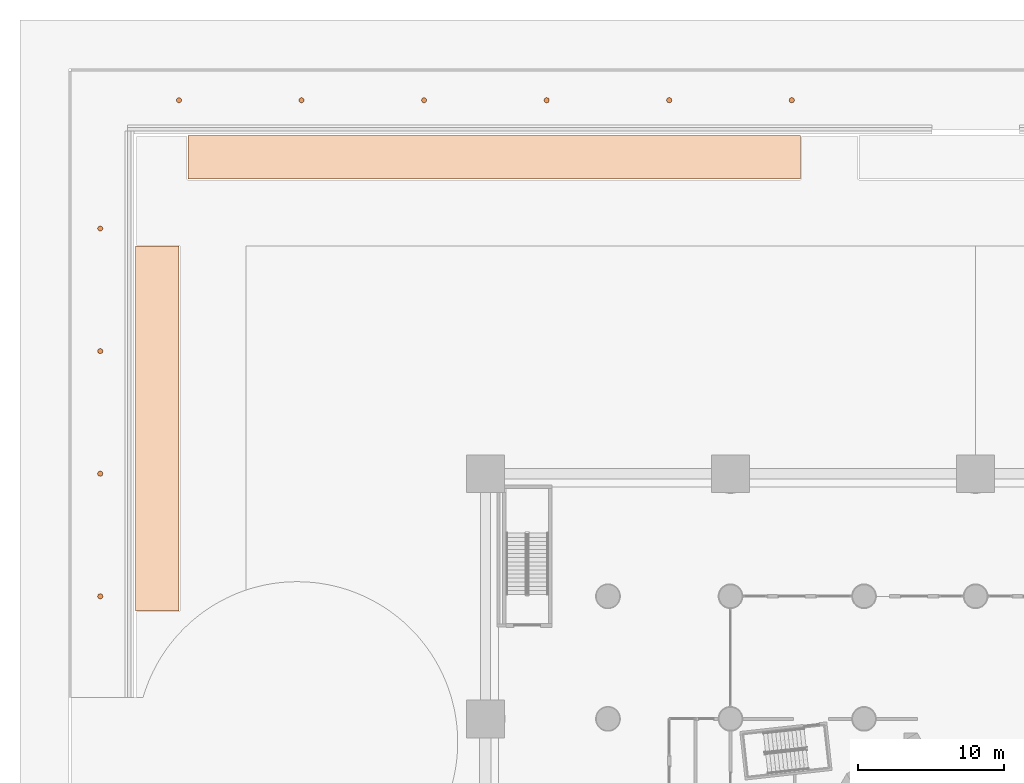
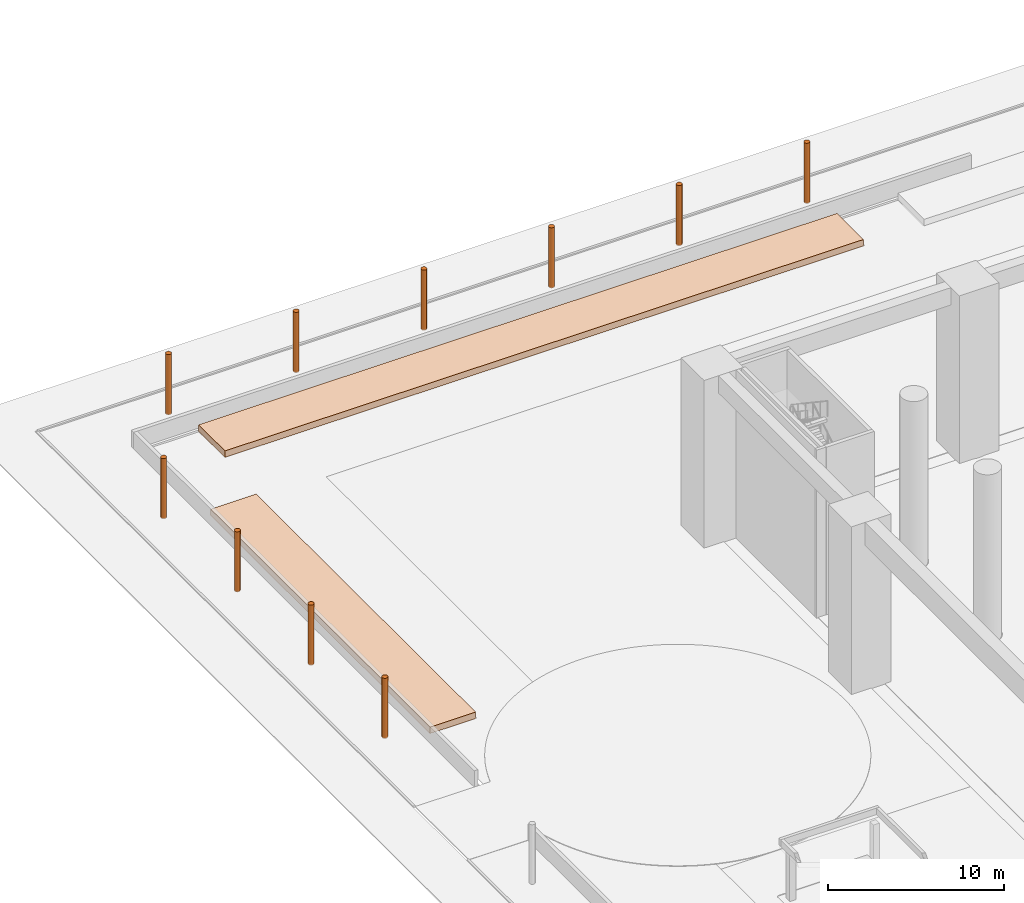
# One storey, part 51 of 52: 12 geographic elements.
"""IFC4 building model written with IfcOpenShell, lengths in metres."""

from ifc_helpers import new_model, si_unit, direction, frame, origin, origin_2d, place, context, subcontext, project, spatial, polyline, circle, outline, extrude, material, material_profile, profile_set, type_object, element, save


model = new_model("IFC4")

# Units and contexts
model_context = context("Model", 3, precision=1e-05, world=origin(), true_north=direction((0.0, 1.0)))
body_context = subcontext(model_context, "Body", "Model", "MODEL_VIEW")
ifc_project = project(units=[si_unit("LENGTHUNIT", "METRE"), si_unit("AREAUNIT", "SQUARE_METRE"), si_unit("VOLUMEUNIT", "CUBIC_METRE"), si_unit("PLANEANGLEUNIT", "RADIAN"), si_unit("MASSUNIT", "GRAM", prefix="KILO")], contexts=[model_context])

# Site, building, storey
site_placement = place(None, origin())
site = spatial("IfcSite", under=ifc_project, at=site_placement, CompositionType="ELEMENT")
building_placement = place(site_placement, origin())
building = spatial("IfcBuilding", under=site, at=building_placement, Name="Cantera Rosa Tower", CompositionType="ELEMENT")
storey_placement = place(building_placement, origin())
storey = spatial("IfcBuildingStorey", under=building, at=storey_placement, Name="L00", CompositionType="ELEMENT", Elevation=0.0)

# Geographic elements
ifc_material_1 = material(Name="Planting soil")
geographic_element_type_1 = type_object("IfcGeographicElementType", Name="Planting bed 450", PredefinedType="USERDEFINED", material=ifc_material_1)
geographic_element_1_placement = place(storey_placement, origin())
element("IfcGeographicElement", 1, at=geographic_element_1_placement, inside=storey, type_object=geographic_element_type_1, Name="North bed west", ObjectType="PLANTING_BED", PredefinedType="USERDEFINED", context=body_context, shape_type="SweptSolid", body=[
    extrude(outline(polyline([(-12.0, 49.60009765625), (-12.0, 52.60009765625), (-54.0, 52.60009765625), (-54.0, 49.60009765625), (-12.0, 49.60009765625)])), origin(), (0.0, 0.0, 1.0), 0.449951171875),
])
geographic_element_2_placement = place(storey_placement, origin())
element("IfcGeographicElement", 2, at=geographic_element_2_placement, inside=storey, type_object=geographic_element_type_1, Name="West bed north", ObjectType="PLANTING_BED", PredefinedType="USERDEFINED", context=body_context, shape_type="SweptSolid", body=[
    extrude(outline(polyline([(-54.60009765625, 20.0), (-54.60009765625, 45.0), (-57.60009765625, 45.0), (-57.60009765625, 20.0), (-54.60009765625, 20.0)])), origin(), (0.0, 0.0, 1.0), 0.449951171875),
])
ifc_material_2 = material(Name="Timber", Category="wood")
ifc_material_profile = material_profile(ifc_material_2, circle(Radius=0.175048828125, at=origin_2d()), Name="Street tree 350")
ifc_profile_set = profile_set([ifc_material_profile], Name="Timber")
geographic_element_type_2 = type_object("IfcGeographicElementType", Name="Street tree 350", PredefinedType="USERDEFINED", material=ifc_profile_set)
for number, where, z_axis, x_axis, name in (
    (3, (-54.60009765625, 55.0, 0.0), (0.0, 0.0, 1.0), (1.0, 0.0, 0.0), "Street tree N10"),
    (4, (-46.199951171875, 55.0, 0.0), (0.0, 0.0, 1.0), (1.0, 0.0, 0.0), "Street tree N11"),
    (5, (-37.800048828125, 55.0, 0.0), (0.0, 0.0, 1.0), (1.0, 0.0, 0.0), "Street tree N12"),
    (6, (-29.39990234375, 55.0, 0.0), (0.0, 0.0, 1.0), (1.0, 0.0, 0.0), "Street tree N13"),
    (7, (-21.0, 55.0, 0.0), (0.0, 0.0, 1.0), (1.0, 0.0, 0.0), "Street tree N14"),
    (8, (-12.60009765625, 55.0, 0.0), (0.0, 0.0, 1.0), (1.0, 0.0, 0.0), "Street tree N15"),
    (9, (-60.0, 21.0, 0.0), (0.0, 0.0, 1.0), (1.0, 0.0, 0.0), "Street tree W27"),
    (10, (-60.0, 29.39990234375, 0.0), (0.0, 0.0, 1.0), (1.0, 0.0, 0.0), "Street tree W28"),
    (11, (-60.0, 37.800048828125, 0.0), (0.0, 0.0, 1.0), (1.0, 0.0, 0.0), "Street tree W29"),
    (12, (-60.0, 46.199951171875, 0.0), (0.0, 0.0, 1.0), (1.0, 0.0, 0.0), "Street tree W30"),
):
    element("IfcGeographicElement", number, at=place(storey_placement, frame(where, z_axis=z_axis, x_axis=x_axis)), inside=storey, type_object=geographic_element_type_2, Name=name, ObjectType="TREE", PredefinedType="USERDEFINED", context=body_context, shape_type="SweptSolid", body=[
        extrude(circle(Radius=0.175048828125, at=origin_2d()), origin(), (0.0, 0.0, 1.0), 4.199951171875),
    ])

save(model, "model.ifc")
